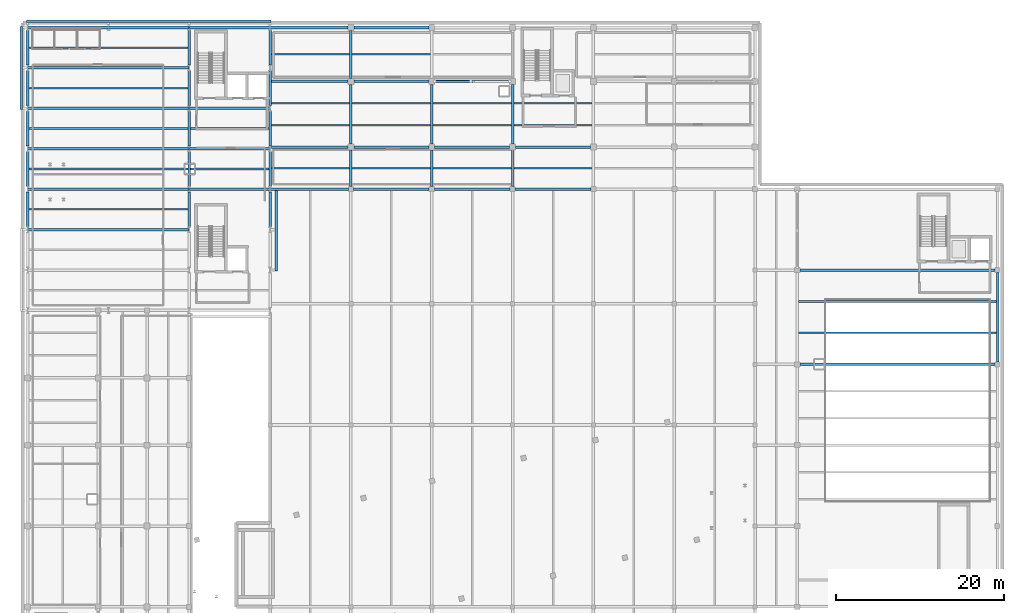
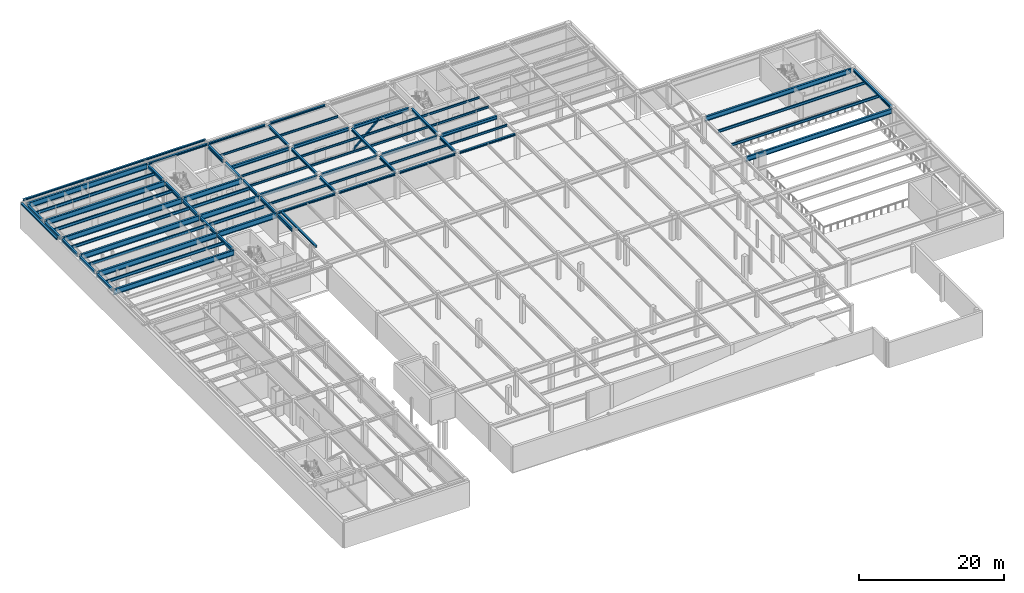
# One storey, part 13 of 32: 74 beams, 1 member.
"""IFC4 building model written with IfcOpenShell, lengths in metres."""

from ifc_helpers import new_model, si_unit, direction, frame, origin, origin_2d, place, context, subcontext, project, spatial, hollow_rectangle, i_section, extrude, material, material_profile, profile_set, type_object, element, save


model = new_model("IFC4")

# Units and contexts
model_context = context("Model", 3, precision=1e-05, world=origin(), true_north=direction((0.0, 1.0)))
body_context = subcontext(model_context, "Body", "Model", "MODEL_VIEW")
ifc_project = project(units=[si_unit("LENGTHUNIT", "METRE"), si_unit("AREAUNIT", "SQUARE_METRE"), si_unit("VOLUMEUNIT", "CUBIC_METRE"), si_unit("PLANEANGLEUNIT", "RADIAN"), si_unit("MASSUNIT", "GRAM", prefix="KILO")], contexts=[model_context])

# Site, building, storey
site_placement = place(None, origin())
site = spatial("IfcSite", under=ifc_project, at=site_placement, CompositionType="ELEMENT")
building_placement = place(site_placement, origin())
building = spatial("IfcBuilding", under=site, at=building_placement, Name="Nordkorset Police Headquarters", CompositionType="ELEMENT")
storey_placement = place(building_placement, frame((0.0, 0.0, -4.550048828125)))
storey = spatial("IfcBuildingStorey", under=building, at=storey_placement, Name="B01", CompositionType="ELEMENT", Elevation=-4.550048828125)

# Beams
ifc_material_1 = material(Name="Steel S355J2", Category="steel")
ifc_material_profile_1 = material_profile(ifc_material_1, i_section(OverallWidth=0.169921875, OverallDepth=0.360107421875, WebThickness=0.008056640625, FlangeThickness=0.0126953125, FilletRadius=0.01806640625, at=origin_2d()), Name="IPE 360")
ifc_profile_set_1 = profile_set([ifc_material_profile_1], Name="Steel S355J2")
beam_type_1 = type_object("IfcBeamType", Name="Beam_IPE_360", PredefinedType="BEAM", material=ifc_profile_set_1)
for number, where, z_axis, x_axis, name in (
    (1, (28.949951171875, 100.10009765625, 4.10009765625), (1.0, 0.0, 0.0), (0.0, 1.0, 0.0), "Composite Floor Beam V2 B01 0-0-1"),
    (2, (28.949951171875, 105.199951171875, 4.10009765625), (1.0, 0.0, 0.0), (0.0, 1.0, 0.0), "Composite Floor Beam V2 B01 0-1-1"),
    (3, (28.949951171875, 107.800048828125, 4.10009765625), (1.0, 0.0, 0.0), (0.0, 1.0, 0.0), "Composite Floor Beam V2 B01 0-1-2"),
    (4, (28.949951171875, 113.60009765625, 4.10009765625), (1.0, 0.0, 0.0), (0.0, 1.0, 0.0), "Composite Floor Beam V2 B01 0-2-1"),
    (5, (38.550048828125, 100.10009765625, 4.10009765625), (1.0, 0.0, 0.0), (0.0, 1.0, 0.0), "Composite Floor Beam V2 B01 1-0-1"),
    (6, (38.550048828125, 105.199951171875, 4.10009765625), (1.0, 0.0, 0.0), (0.0, 1.0, 0.0), "Composite Floor Beam V2 B01 1-1-1"),
    (7, (38.550048828125, 107.800048828125, 4.10009765625), (1.0, 0.0, 0.0), (0.0, 1.0, 0.0), "Composite Floor Beam V2 B01 1-1-2"),
    (8, (38.550048828125, 113.60009765625, 4.10009765625), (1.0, 0.0, 0.0), (0.0, 1.0, 0.0), "Composite Floor Beam V2 B01 1-2-1"),
    (9, (48.14990234375, 100.10009765625, 4.10009765625), (1.0, 0.0, 0.0), (0.0, 1.0, 0.0), "Composite Floor Beam V2 B01 2-0-1"),
    (10, (48.14990234375, 105.199951171875, 4.10009765625), (1.0, 0.0, 0.0), (0.0, 1.0, 0.0), "Composite Floor Beam V2 B01 2-1-1"),
    (11, (48.14990234375, 107.800048828125, 4.10009765625), (1.0, 0.0, 0.0), (0.0, 1.0, 0.0), "Composite Floor Beam V2 B01 2-1-2"),
    (12, (57.75, 100.10009765625, 4.10009765625), (1.0, 0.0, 0.0), (0.0, 1.0, 0.0), "Composite Floor Beam V2 B01 3-0-1"),
    (13, (57.75, 105.199951171875, 4.10009765625), (1.0, 0.0, 0.0), (0.0, 1.0, 0.0), "Composite Floor Beam V2 B01 3-1-1"),
    (14, (57.75, 107.800048828125, 4.10009765625), (1.0, 0.0, 0.0), (0.0, 1.0, 0.0), "Composite Floor Beam V2 B01 3-1-2"),
):
    element("IfcBeam", number, at=place(storey_placement, frame(where, z_axis=z_axis, x_axis=x_axis)), inside=storey, type_object=beam_type_1, Name=name, PredefinedType="BEAM", context=body_context, shape_type="SweptSolid", body=[
        extrude(i_section(OverallWidth=0.169921875, OverallDepth=0.360107421875, WebThickness=0.008056640625, FlangeThickness=0.0126953125, FilletRadius=0.01806640625, at=origin_2d()), origin(), (0.0, 0.0, 1.0), 9.300048828125),
    ])
ifc_material_2 = material(Name="Steel S355J2", Category="steel")
ifc_material_profile_2 = material_profile(ifc_material_2, i_section(OverallWidth=0.18994140625, OverallDepth=0.449951171875, WebThickness=0.009521484375, FlangeThickness=0.0146484375, FilletRadius=0.02099609375, at=origin_2d()), Name="IPE 450")
ifc_profile_set_2 = profile_set([ifc_material_profile_2], Name="Steel S355J2")
beam_type_2 = type_object("IfcBeamType", Name="Beam_IPE_450", PredefinedType="BEAM", material=ifc_profile_set_2)
for number, where, z_axis, x_axis, name in (
    (15, (91.550048828125, 80.533447265625, 4.054931640625), (1.0, 0.0, 0.0), (0.0, 1.0, 0.0), "Composite Floor Beam V5 B01 1-3-1"),
    (16, (91.550048828125, 84.2666015625, 4.054931640625), (1.0, 0.0, 0.0), (0.0, 1.0, 0.0), "Composite Floor Beam V5 B01 1-3-2"),
):
    element("IfcBeam", number, at=place(storey_placement, frame(where, z_axis=z_axis, x_axis=x_axis)), inside=storey, type_object=beam_type_2, Name=name, PredefinedType="BEAM", context=body_context, shape_type="SweptSolid", body=[
        extrude(i_section(OverallWidth=0.18994140625, OverallDepth=0.449951171875, WebThickness=0.009521484375, FlangeThickness=0.0146484375, FilletRadius=0.02099609375, at=origin_2d()), origin(), (0.0, 0.0, 1.0), 23.5),
    ])
ifc_material_3 = material(Name="Steel S355J2", Category="steel")
ifc_material_profile_3 = material_profile(ifc_material_3, i_section(OverallWidth=0.199951171875, OverallDepth=0.5, WebThickness=0.01025390625, FlangeThickness=0.01611328125, FilletRadius=0.02099609375, at=origin_2d()), Name="IPE 500")
ifc_profile_set_3 = profile_set([ifc_material_profile_3], Name="Steel S355J2")
beam_type_3 = type_object("IfcBeamType", Name="Beam_IPE_500", PredefinedType="BEAM", material=ifc_profile_set_3)
for number, where, z_axis, x_axis, name in (
    (17, (0.14990234375, 95.199951171875, 4.030029296875), (1.0, 0.0, 0.0), (0.0, 1.0, 0.0), "Composite Floor Beam V1 B01 0-2-1"),
    (18, (0.14990234375, 100.0, 4.030029296875), (1.0, 0.0, 0.0), (0.0, 1.0, 0.0), "Composite Floor Beam V1 B01 0-3-1"),
    (19, (0.14990234375, 104.800048828125, 4.030029296875), (1.0, 0.0, 0.0), (0.0, 1.0, 0.0), "Composite Floor Beam V1 B01 0-4-1"),
    (20, (0.14990234375, 109.60009765625, 4.030029296875), (1.0, 0.0, 0.0), (0.0, 1.0, 0.0), "Composite Floor Beam V1 B01 0-5-1"),
    (21, (0.14990234375, 114.39990234375, 4.030029296875), (1.0, 0.0, 0.0), (0.0, 1.0, 0.0), "Composite Floor Beam V1 B01 0-6-1"),
):
    element("IfcBeam", number, at=place(storey_placement, frame(where, z_axis=z_axis, x_axis=x_axis)), inside=storey, type_object=beam_type_3, Name=name, PredefinedType="BEAM", context=body_context, shape_type="SweptSolid", body=[
        extrude(i_section(OverallWidth=0.199951171875, OverallDepth=0.5, WebThickness=0.01025390625, FlangeThickness=0.01611328125, FilletRadius=0.02099609375, at=origin_2d()), origin(), (0.0, 0.0, 1.0), 18.900146484375),
    ])
for number, where, z_axis, x_axis, name in (
    (22, (19.35009765625, 100.0, 4.030029296875), (1.0, 0.0, 0.0), (0.0, 1.0, 0.0), "Composite Floor Beam V1 B01 1-3-1"),
    (23, (19.35009765625, 104.800048828125, 4.030029296875), (1.0, 0.0, 0.0), (0.0, 1.0, 0.0), "Composite Floor Beam V1 B01 1-4-1"),
):
    element("IfcBeam", number, at=place(storey_placement, frame(where, z_axis=z_axis, x_axis=x_axis)), inside=storey, type_object=beam_type_3, Name=name, PredefinedType="BEAM", context=body_context, shape_type="SweptSolid", body=[
        extrude(i_section(OverallWidth=0.199951171875, OverallDepth=0.5, WebThickness=0.01025390625, FlangeThickness=0.01611328125, FilletRadius=0.02099609375, at=origin_2d()), origin(), (0.0, 0.0, 1.0), 9.2998046875),
    ])

# Member
ifc_material_4 = material(Name="Steel S355J2", Category="steel")
ifc_material_profile_4 = material_profile(ifc_material_4, hollow_rectangle(XDim=0.25, YDim=0.25, WallThickness=0.012451171875, InnerFilletRadius=0.012451171875, OuterFilletRadius=0.02490234375, at=origin_2d()), Name="SHS 250x250x12.5")
ifc_profile_set_4 = profile_set([ifc_material_profile_4], Name="Steel S355J2")
member_type = type_object("IfcMemberType", Name="Brace_SHS_250x250x12.5", PredefinedType="BRACE", material=ifc_profile_set_4)
member_placement = place(storey_placement, frame((48.35009765625, 110.39990234375, 0.199951171875), z_axis=(0.741816057478, 0.0, 0.670603412509), x_axis=(0.0, 1.0, 0.0)))
element("IfcMember", 24, at=member_placement, inside=storey, type_object=member_type, Name="Lateral Chevron Brace BF-V2-A B01 D1", PredefinedType="BRACE", context=body_context, shape_type="SweptSolid", body=[
    extrude(hollow_rectangle(XDim=0.25, YDim=0.25, WallThickness=0.012451171875, InnerFilletRadius=0.012451171875, OuterFilletRadius=0.02490234375, at=origin_2d()), origin(), (0.0, 0.0, 1.0), 5.756103515625),
])

# Beams
ifc_material_5 = material(Name="Steel S355J2", Category="steel")
ifc_material_profile_5 = material_profile(ifc_material_5, i_section(OverallWidth=0.300048828125, OverallDepth=0.43994140625, WebThickness=0.011474609375, FlangeThickness=0.02099609375, FilletRadius=0.027099609375, at=origin_2d()), Name="HEA 450")
ifc_profile_set_5 = profile_set([ifc_material_profile_5], Name="Steel S355J2")
beam_type_4 = type_object("IfcBeamType", Name="Girder_HEA_450", PredefinedType="USERDEFINED", material=ifc_profile_set_5)
beam_1_placement = place(storey_placement, frame((38.39990234375, 97.89990234375, 4.06005859375), z_axis=(0.0, 1.0, 0.0), x_axis=(-1.0, 0.0, 0.0)))
element("IfcBeam", 25, at=beam_1_placement, inside=storey, type_object=beam_type_4, Name="Girder V2 B01 GY-1-0", ObjectType="GIRDER", PredefinedType="USERDEFINED", context=body_context, shape_type="SweptSolid", body=[
    extrude(i_section(OverallWidth=0.300048828125, OverallDepth=0.43994140625, WebThickness=0.011474609375, FlangeThickness=0.02099609375, FilletRadius=0.027099609375, at=origin_2d()), origin(), (0.0, 0.0, 1.0), 4.35009765625),
])
beam_2_placement = place(storey_placement, frame((38.39990234375, 102.949951171875, 4.06005859375), z_axis=(0.0, 1.0, 0.0), x_axis=(-1.0, 0.0, 0.0)))
element("IfcBeam", 26, at=beam_2_placement, inside=storey, type_object=beam_type_4, Name="Girder V2 B01 GY-1-1", ObjectType="GIRDER", PredefinedType="USERDEFINED", context=body_context, shape_type="SweptSolid", body=[
    extrude(i_section(OverallWidth=0.300048828125, OverallDepth=0.43994140625, WebThickness=0.011474609375, FlangeThickness=0.02099609375, FilletRadius=0.027099609375, at=origin_2d()), origin(), (0.0, 0.0, 1.0), 7.10009765625),
])
beam_3_placement = place(storey_placement, frame((38.39990234375, 110.75, 4.06005859375), z_axis=(0.0, 1.0, 0.0), x_axis=(-1.0, 0.0, 0.0)))
element("IfcBeam", 27, at=beam_3_placement, inside=storey, type_object=beam_type_4, Name="Girder V2 B01 GY-1-2", ObjectType="GIRDER", PredefinedType="USERDEFINED", context=body_context, shape_type="SweptSolid", body=[
    extrude(i_section(OverallWidth=0.300048828125, OverallDepth=0.43994140625, WebThickness=0.011474609375, FlangeThickness=0.02099609375, FilletRadius=0.027099609375, at=origin_2d()), origin(), (0.0, 0.0, 1.0), 5.699951171875),
])
beam_4_placement = place(storey_placement, frame((48.0, 97.89990234375, 4.06005859375), z_axis=(0.0, 1.0, 0.0), x_axis=(-1.0, 0.0, 0.0)))
element("IfcBeam", 28, at=beam_4_placement, inside=storey, type_object=beam_type_4, Name="Girder V2 B01 GY-2-0", ObjectType="GIRDER", PredefinedType="USERDEFINED", context=body_context, shape_type="SweptSolid", body=[
    extrude(i_section(OverallWidth=0.300048828125, OverallDepth=0.43994140625, WebThickness=0.011474609375, FlangeThickness=0.02099609375, FilletRadius=0.027099609375, at=origin_2d()), origin(), (0.0, 0.0, 1.0), 4.35009765625),
])
beam_5_placement = place(storey_placement, frame((48.0, 102.949951171875, 4.06005859375), z_axis=(0.0, 1.0, 0.0), x_axis=(-1.0, 0.0, 0.0)))
element("IfcBeam", 29, at=beam_5_placement, inside=storey, type_object=beam_type_4, Name="Girder V2 B01 GY-2-1", ObjectType="GIRDER", PredefinedType="USERDEFINED", context=body_context, shape_type="SweptSolid", body=[
    extrude(i_section(OverallWidth=0.300048828125, OverallDepth=0.43994140625, WebThickness=0.011474609375, FlangeThickness=0.02099609375, FilletRadius=0.027099609375, at=origin_2d()), origin(), (0.0, 0.0, 1.0), 7.10009765625),
])
beam_6_placement = place(storey_placement, frame((57.60009765625, 97.89990234375, 4.06005859375), z_axis=(0.0, 1.0, 0.0), x_axis=(-1.0, 0.0, 0.0)))
element("IfcBeam", 30, at=beam_6_placement, inside=storey, type_object=beam_type_4, Name="Girder V2 B01 GY-3-0", ObjectType="GIRDER", PredefinedType="USERDEFINED", context=body_context, shape_type="SweptSolid", body=[
    extrude(i_section(OverallWidth=0.300048828125, OverallDepth=0.43994140625, WebThickness=0.011474609375, FlangeThickness=0.02099609375, FilletRadius=0.027099609375, at=origin_2d()), origin(), (0.0, 0.0, 1.0), 4.35009765625),
])
beam_7_placement = place(storey_placement, frame((57.60009765625, 102.949951171875, 4.06005859375), z_axis=(0.0, 1.0, 0.0), x_axis=(-1.0, 0.0, 0.0)))
element("IfcBeam", 31, at=beam_7_placement, inside=storey, type_object=beam_type_4, Name="Girder V2 B01 GY-3-1", ObjectType="GIRDER", PredefinedType="USERDEFINED", context=body_context, shape_type="SweptSolid", body=[
    extrude(i_section(OverallWidth=0.300048828125, OverallDepth=0.43994140625, WebThickness=0.011474609375, FlangeThickness=0.02099609375, FilletRadius=0.027099609375, at=origin_2d()), origin(), (0.0, 0.0, 1.0), 7.10009765625),
])
beam_8_placement = place(storey_placement, frame((115.199951171875, 77.10009765625, 4.06005859375), z_axis=(0.0, 1.0, 0.0), x_axis=(-1.0, 0.0, 0.0)))
element("IfcBeam", 32, at=beam_8_placement, inside=storey, type_object=beam_type_4, Name="Girder V5 B01 GY-2-3", ObjectType="GIRDER", PredefinedType="USERDEFINED", context=body_context, shape_type="SweptSolid", body=[
    extrude(i_section(OverallWidth=0.300048828125, OverallDepth=0.43994140625, WebThickness=0.011474609375, FlangeThickness=0.02099609375, FilletRadius=0.027099609375, at=origin_2d()), origin(), (0.0, 0.0, 1.0), 10.599853515625),
])
ifc_material_6 = material(Name="Steel S355J2", Category="steel")
ifc_material_profile_6 = material_profile(ifc_material_6, i_section(OverallWidth=0.300048828125, OverallDepth=0.5400390625, WebThickness=0.012451171875, FlangeThickness=0.02392578125, FilletRadius=0.027099609375, at=origin_2d()), Name="HEA 550")
ifc_profile_set_6 = profile_set([ifc_material_profile_6], Name="Steel S355J2")
beam_type_5 = type_object("IfcBeamType", Name="Girder_HEA_550", PredefinedType="USERDEFINED", material=ifc_profile_set_6)
for number, where, z_axis, x_axis, name in (
    (33, (0.0, 93.125, 4.010009765625), (0.0, 1.0, 0.0), (-1.0, 0.0, 0.0), "Girder V1 B01 GY-0-2"),
    (34, (0.0, 97.925048828125, 4.010009765625), (0.0, 1.0, 0.0), (-1.0, 0.0, 0.0), "Girder V1 B01 GY-0-3"),
    (35, (0.0, 102.72509765625, 4.010009765625), (0.0, 1.0, 0.0), (-1.0, 0.0, 0.0), "Girder V1 B01 GY-0-4"),
):
    element("IfcBeam", number, at=place(storey_placement, frame(where, z_axis=z_axis, x_axis=x_axis)), inside=storey, type_object=beam_type_5, Name=name, ObjectType="GIRDER", PredefinedType="USERDEFINED", context=body_context, shape_type="SweptSolid", body=[
        extrude(i_section(OverallWidth=0.300048828125, OverallDepth=0.5400390625, WebThickness=0.012451171875, FlangeThickness=0.02392578125, FilletRadius=0.027099609375, at=origin_2d()), origin(), (0.0, 0.0, 1.0), 4.14990234375),
    ])
for number, where, z_axis, x_axis, name in (
    (36, (0.0, 107.52490234375, 4.010009765625), (0.0, 1.0, 0.0), (-1.0, 0.0, 0.0), "Girder V1 B01 GY-0-5"),
    (37, (0.0, 112.324951171875, 4.010009765625), (0.0, 1.0, 0.0), (-1.0, 0.0, 0.0), "Girder V1 B01 GY-0-6"),
):
    element("IfcBeam", number, at=place(storey_placement, frame(where, z_axis=z_axis, x_axis=x_axis)), inside=storey, type_object=beam_type_5, Name=name, ObjectType="GIRDER", PredefinedType="USERDEFINED", context=body_context, shape_type="SweptSolid", body=[
        extrude(i_section(OverallWidth=0.300048828125, OverallDepth=0.5400390625, WebThickness=0.012451171875, FlangeThickness=0.02392578125, FilletRadius=0.027099609375, at=origin_2d()), origin(), (0.0, 0.0, 1.0), 4.150146484375),
    ])
for number, where, z_axis, x_axis, name in (
    (38, (19.199951171875, 93.125, 4.010009765625), (0.0, 1.0, 0.0), (-1.0, 0.0, 0.0), "Girder V1 B01 GY-1-2"),
    (39, (19.199951171875, 97.925048828125, 4.010009765625), (0.0, 1.0, 0.0), (-1.0, 0.0, 0.0), "Girder V1 B01 GY-1-3"),
    (40, (19.199951171875, 102.72509765625, 4.010009765625), (0.0, 1.0, 0.0), (-1.0, 0.0, 0.0), "Girder V1 B01 GY-1-4"),
):
    element("IfcBeam", number, at=place(storey_placement, frame(where, z_axis=z_axis, x_axis=x_axis)), inside=storey, type_object=beam_type_5, Name=name, ObjectType="GIRDER", PredefinedType="USERDEFINED", context=body_context, shape_type="SweptSolid", body=[
        extrude(i_section(OverallWidth=0.300048828125, OverallDepth=0.5400390625, WebThickness=0.012451171875, FlangeThickness=0.02392578125, FilletRadius=0.027099609375, at=origin_2d()), origin(), (0.0, 0.0, 1.0), 4.14990234375),
    ])
for number, where, z_axis, x_axis, name in (
    (41, (19.199951171875, 107.52490234375, 4.010009765625), (0.0, 1.0, 0.0), (-1.0, 0.0, 0.0), "Girder V1 B01 GY-1-5"),
    (42, (19.199951171875, 112.324951171875, 4.010009765625), (0.0, 1.0, 0.0), (-1.0, 0.0, 0.0), "Girder V1 B01 GY-1-6"),
):
    element("IfcBeam", number, at=place(storey_placement, frame(where, z_axis=z_axis, x_axis=x_axis)), inside=storey, type_object=beam_type_5, Name=name, ObjectType="GIRDER", PredefinedType="USERDEFINED", context=body_context, shape_type="SweptSolid", body=[
        extrude(i_section(OverallWidth=0.300048828125, OverallDepth=0.5400390625, WebThickness=0.012451171875, FlangeThickness=0.02392578125, FilletRadius=0.027099609375, at=origin_2d()), origin(), (0.0, 0.0, 1.0), 4.150146484375),
    ])
for number, where, z_axis, x_axis, name in (
    (43, (28.800048828125, 93.125, 4.010009765625), (0.0, 1.0, 0.0), (-1.0, 0.0, 0.0), "Girder V1 B01 GY-2-2"),
    (44, (28.800048828125, 97.925048828125, 4.010009765625), (0.0, 1.0, 0.0), (-1.0, 0.0, 0.0), "Girder V1 B01 GY-2-3"),
    (45, (28.800048828125, 102.72509765625, 4.010009765625), (0.0, 1.0, 0.0), (-1.0, 0.0, 0.0), "Girder V1 B01 GY-2-4"),
):
    element("IfcBeam", number, at=place(storey_placement, frame(where, z_axis=z_axis, x_axis=x_axis)), inside=storey, type_object=beam_type_5, Name=name, ObjectType="GIRDER", PredefinedType="USERDEFINED", context=body_context, shape_type="SweptSolid", body=[
        extrude(i_section(OverallWidth=0.300048828125, OverallDepth=0.5400390625, WebThickness=0.012451171875, FlangeThickness=0.02392578125, FilletRadius=0.027099609375, at=origin_2d()), origin(), (0.0, 0.0, 1.0), 4.14990234375),
    ])
for number, where, z_axis, x_axis, name in (
    (46, (28.800048828125, 107.52490234375, 4.010009765625), (0.0, 1.0, 0.0), (-1.0, 0.0, 0.0), "Girder V1 B01 GY-2-5"),
    (47, (28.800048828125, 112.324951171875, 4.010009765625), (0.0, 1.0, 0.0), (-1.0, 0.0, 0.0), "Girder V1 B01 GY-2-6"),
):
    element("IfcBeam", number, at=place(storey_placement, frame(where, z_axis=z_axis, x_axis=x_axis)), inside=storey, type_object=beam_type_5, Name=name, ObjectType="GIRDER", PredefinedType="USERDEFINED", context=body_context, shape_type="SweptSolid", body=[
        extrude(i_section(OverallWidth=0.300048828125, OverallDepth=0.5400390625, WebThickness=0.012451171875, FlangeThickness=0.02392578125, FilletRadius=0.027099609375, at=origin_2d()), origin(), (0.0, 0.0, 1.0), 4.150146484375),
    ])
beam_9_placement = place(storey_placement, frame((28.949951171875, 102.60009765625, 4.010009765625), z_axis=(1.0, 0.0, 0.0), x_axis=(0.0, 1.0, 0.0)))
element("IfcBeam", 48, at=beam_9_placement, inside=storey, type_object=beam_type_5, Name="Girder V2 B01 GX-1-0", ObjectType="GIRDER", PredefinedType="USERDEFINED", context=body_context, shape_type="SweptSolid", body=[
    extrude(i_section(OverallWidth=0.300048828125, OverallDepth=0.5400390625, WebThickness=0.012451171875, FlangeThickness=0.02392578125, FilletRadius=0.027099609375, at=origin_2d()), origin(), (0.0, 0.0, 1.0), 9.10009765625),
])
for number, where, z_axis, x_axis, name in (
    (49, (38.75, 102.60009765625, 4.010009765625), (1.0, 0.0, 0.0), (0.0, 1.0, 0.0), "Girder V2 B01 GX-1-1"),
    (50, (48.35009765625, 102.60009765625, 4.010009765625), (1.0, 0.0, 0.0), (0.0, 1.0, 0.0), "Girder V2 B01 GX-1-2"),
):
    element("IfcBeam", number, at=place(storey_placement, frame(where, z_axis=z_axis, x_axis=x_axis)), inside=storey, type_object=beam_type_5, Name=name, ObjectType="GIRDER", PredefinedType="USERDEFINED", context=body_context, shape_type="SweptSolid", body=[
        extrude(i_section(OverallWidth=0.300048828125, OverallDepth=0.5400390625, WebThickness=0.012451171875, FlangeThickness=0.02392578125, FilletRadius=0.027099609375, at=origin_2d()), origin(), (0.0, 0.0, 1.0), 8.89990234375),
    ])
beam_10_placement = place(storey_placement, frame((57.949951171875, 102.60009765625, 4.010009765625), z_axis=(1.0, 0.0, 0.0), x_axis=(0.0, 1.0, 0.0)))
element("IfcBeam", 51, at=beam_10_placement, inside=storey, type_object=beam_type_5, Name="Girder V2 B01 GX-1-3", ObjectType="GIRDER", PredefinedType="USERDEFINED", context=body_context, shape_type="SweptSolid", body=[
    extrude(i_section(OverallWidth=0.300048828125, OverallDepth=0.5400390625, WebThickness=0.012451171875, FlangeThickness=0.02392578125, FilletRadius=0.027099609375, at=origin_2d()), origin(), (0.0, 0.0, 1.0), 8.900146484375),
])
beam_11_placement = place(storey_placement, frame((28.949951171875, 110.39990234375, 4.010009765625), z_axis=(1.0, 0.0, 0.0), x_axis=(0.0, 1.0, 0.0)))
element("IfcBeam", 52, at=beam_11_placement, inside=storey, type_object=beam_type_5, Name="Girder V2 B01 GX-2-0", ObjectType="GIRDER", PredefinedType="USERDEFINED", context=body_context, shape_type="SweptSolid", body=[
    extrude(i_section(OverallWidth=0.300048828125, OverallDepth=0.5400390625, WebThickness=0.012451171875, FlangeThickness=0.02392578125, FilletRadius=0.027099609375, at=origin_2d()), origin(), (0.0, 0.0, 1.0), 9.10009765625),
])
for number, where, z_axis, x_axis, name in (
    (53, (38.75, 110.39990234375, 4.010009765625), (1.0, 0.0, 0.0), (0.0, 1.0, 0.0), "Girder V2 B01 GX-2-1"),
    (54, (48.35009765625, 110.39990234375, 4.010009765625), (1.0, 0.0, 0.0), (0.0, 1.0, 0.0), "Girder V2 B01 GX-2-2"),
):
    element("IfcBeam", number, at=place(storey_placement, frame(where, z_axis=z_axis, x_axis=x_axis)), inside=storey, type_object=beam_type_5, Name=name, ObjectType="GIRDER", PredefinedType="USERDEFINED", context=body_context, shape_type="SweptSolid", body=[
        extrude(i_section(OverallWidth=0.300048828125, OverallDepth=0.5400390625, WebThickness=0.012451171875, FlangeThickness=0.02392578125, FilletRadius=0.027099609375, at=origin_2d()), origin(), (0.0, 0.0, 1.0), 8.89990234375),
    ])
ifc_material_7 = material(Name="Steel S355J2", Category="steel")
ifc_material_profile_7 = material_profile(ifc_material_7, i_section(OverallWidth=0.300048828125, OverallDepth=0.800048828125, WebThickness=0.017578125, FlangeThickness=0.032958984375, FilletRadius=0.030029296875, at=origin_2d()), Name="HEB 800")
ifc_profile_set_7 = profile_set([ifc_material_profile_7], Name="Steel S355J2")
beam_type_6 = type_object("IfcBeamType", Name="Girder_HEB_800", PredefinedType="USERDEFINED", material=ifc_profile_set_7)
for number, where, z_axis, x_axis, name in (
    (55, (91.699951171875, 76.800048828125, 3.880126953125), (1.0, 0.0, 0.0), (0.0, 1.0, 0.0), "Girder V5 B01 GX-3-1"),
    (56, (91.699951171875, 88.0, 3.880126953125), (1.0, 0.0, 0.0), (0.0, 1.0, 0.0), "Girder V5 B01 GX-4-1"),
):
    element("IfcBeam", number, at=place(storey_placement, frame(where, z_axis=z_axis, x_axis=x_axis)), inside=storey, type_object=beam_type_6, Name=name, ObjectType="GIRDER", PredefinedType="USERDEFINED", context=body_context, shape_type="SweptSolid", body=[
        extrude(i_section(OverallWidth=0.300048828125, OverallDepth=0.800048828125, WebThickness=0.017578125, FlangeThickness=0.032958984375, FilletRadius=0.030029296875, at=origin_2d()), origin(), (0.0, 0.0, 1.0), 23.199951171875),
    ])
ifc_material_8 = material(Name="Steel S355J2", Category="steel")
ifc_material_profile_8 = material_profile(ifc_material_8, i_section(OverallWidth=0.300048828125, OverallDepth=0.89990234375, WebThickness=0.0185546875, FlangeThickness=0.034912109375, FilletRadius=0.030029296875, at=origin_2d()), Name="HEB 900")
ifc_profile_set_8 = profile_set([ifc_material_profile_8], Name="Steel S355J2")
beam_type_7 = type_object("IfcBeamType", Name="Girder_HEB_900", PredefinedType="USERDEFINED", material=ifc_profile_set_8)
for number, where, z_axis, x_axis, name in (
    (57, (0.008056640625, 92.800048828125, 3.830078125), (1.0, 0.0, 0.0), (0.0, 1.0, 0.0), "Girder V1 B01 GX-2-0"),
    (58, (0.008056640625, 97.60009765625, 3.830078125), (1.0, 0.0, 0.0), (0.0, 1.0, 0.0), "Girder V1 B01 GX-3-0"),
):
    element("IfcBeam", number, at=place(storey_placement, frame(where, z_axis=z_axis, x_axis=x_axis)), inside=storey, type_object=beam_type_7, Name=name, ObjectType="GIRDER", PredefinedType="USERDEFINED", context=body_context, shape_type="SweptSolid", body=[
        extrude(i_section(OverallWidth=0.300048828125, OverallDepth=0.89990234375, WebThickness=0.0185546875, FlangeThickness=0.034912109375, FilletRadius=0.030029296875, at=origin_2d()), origin(), (0.0, 0.0, 1.0), 19.183837890625),
    ])
beam_12_placement = place(storey_placement, frame((19.2080078125, 97.60009765625, 3.830078125), z_axis=(1.0, 0.0, 0.0), x_axis=(0.0, 1.0, 0.0)))
element("IfcBeam", 59, at=beam_12_placement, inside=storey, type_object=beam_type_7, Name="Girder V1 B01 GX-3-1", ObjectType="GIRDER", PredefinedType="USERDEFINED", context=body_context, shape_type="SweptSolid", body=[
    extrude(i_section(OverallWidth=0.300048828125, OverallDepth=0.89990234375, WebThickness=0.0185546875, FlangeThickness=0.034912109375, FilletRadius=0.030029296875, at=origin_2d()), origin(), (0.0, 0.0, 1.0), 9.583984375),
])
beam_13_placement = place(storey_placement, frame((0.008056640625, 102.39990234375, 3.830078125), z_axis=(1.0, 0.0, 0.0), x_axis=(0.0, 1.0, 0.0)))
element("IfcBeam", 60, at=beam_13_placement, inside=storey, type_object=beam_type_7, Name="Girder V1 B01 GX-4-0", ObjectType="GIRDER", PredefinedType="USERDEFINED", context=body_context, shape_type="SweptSolid", body=[
    extrude(i_section(OverallWidth=0.300048828125, OverallDepth=0.89990234375, WebThickness=0.0185546875, FlangeThickness=0.034912109375, FilletRadius=0.030029296875, at=origin_2d()), origin(), (0.0, 0.0, 1.0), 19.183837890625),
])
beam_14_placement = place(storey_placement, frame((19.2080078125, 102.39990234375, 3.830078125), z_axis=(1.0, 0.0, 0.0), x_axis=(0.0, 1.0, 0.0)))
element("IfcBeam", 61, at=beam_14_placement, inside=storey, type_object=beam_type_7, Name="Girder V1 B01 GX-4-1", ObjectType="GIRDER", PredefinedType="USERDEFINED", context=body_context, shape_type="SweptSolid", body=[
    extrude(i_section(OverallWidth=0.300048828125, OverallDepth=0.89990234375, WebThickness=0.0185546875, FlangeThickness=0.034912109375, FilletRadius=0.030029296875, at=origin_2d()), origin(), (0.0, 0.0, 1.0), 9.583984375),
])
beam_15_placement = place(storey_placement, frame((0.008056640625, 107.199951171875, 3.830078125), z_axis=(1.0, 0.0, 0.0), x_axis=(0.0, 1.0, 0.0)))
element("IfcBeam", 62, at=beam_15_placement, inside=storey, type_object=beam_type_7, Name="Girder V1 B01 GX-5-0", ObjectType="GIRDER", PredefinedType="USERDEFINED", context=body_context, shape_type="SweptSolid", body=[
    extrude(i_section(OverallWidth=0.300048828125, OverallDepth=0.89990234375, WebThickness=0.0185546875, FlangeThickness=0.034912109375, FilletRadius=0.030029296875, at=origin_2d()), origin(), (0.0, 0.0, 1.0), 19.183837890625),
])
beam_16_placement = place(storey_placement, frame((19.2080078125, 107.199951171875, 3.830078125), z_axis=(1.0, 0.0, 0.0), x_axis=(0.0, 1.0, 0.0)))
element("IfcBeam", 63, at=beam_16_placement, inside=storey, type_object=beam_type_7, Name="Girder V1 B01 GX-5-1", ObjectType="GIRDER", PredefinedType="USERDEFINED", context=body_context, shape_type="SweptSolid", body=[
    extrude(i_section(OverallWidth=0.300048828125, OverallDepth=0.89990234375, WebThickness=0.0185546875, FlangeThickness=0.034912109375, FilletRadius=0.030029296875, at=origin_2d()), origin(), (0.0, 0.0, 1.0), 9.583984375),
])
for number, where, z_axis, x_axis, name in (
    (64, (0.008056640625, 112.0, 3.830078125), (1.0, 0.0, 0.0), (0.0, 1.0, 0.0), "Girder V1 B01 GX-6-0"),
    (65, (0.008056640625, 116.800048828125, 3.830078125), (1.0, 0.0, 0.0), (0.0, 1.0, 0.0), "Girder V1 B01 GX-7-0"),
):
    element("IfcBeam", number, at=place(storey_placement, frame(where, z_axis=z_axis, x_axis=x_axis)), inside=storey, type_object=beam_type_7, Name=name, ObjectType="GIRDER", PredefinedType="USERDEFINED", context=body_context, shape_type="SweptSolid", body=[
        extrude(i_section(OverallWidth=0.300048828125, OverallDepth=0.89990234375, WebThickness=0.0185546875, FlangeThickness=0.034912109375, FilletRadius=0.030029296875, at=origin_2d()), origin(), (0.0, 0.0, 1.0), 19.183837890625),
    ])
ifc_material_9 = material(Name="Steel S355J2", Category="steel")
ifc_material_profile_9 = material_profile(ifc_material_9, i_section(OverallWidth=0.280029296875, OverallDepth=0.27001953125, WebThickness=0.008056640625, FlangeThickness=0.012939453125, FilletRadius=0.02392578125, at=origin_2d()), Name="HEA 280")
ifc_profile_set_9 = profile_set([ifc_material_profile_9], Name="Steel S355J2")
beam_type_8 = type_object("IfcBeamType", Name="Spandrel_HEA_280", PredefinedType="SPANDREL", material=ifc_profile_set_9)
beam_17_placement = place(storey_placement, frame((-0.75, 107.06005859375, 4.41015625), z_axis=(0.0, 1.0, 0.0), x_axis=(-1.0, 0.0, 0.0)))
element("IfcBeam", 66, at=beam_17_placement, inside=storey, type_object=beam_type_8, Name="Plinth Fin Support Ledger West 2", PredefinedType="SPANDREL", context=body_context, shape_type="SweptSolid", body=[
    extrude(i_section(OverallWidth=0.280029296875, OverallDepth=0.27001953125, WebThickness=0.008056640625, FlangeThickness=0.012939453125, FilletRadius=0.02392578125, at=origin_2d()), origin(), (0.0, 0.0, 1.0), 9.8798828125),
])
beam_18_placement = place(storey_placement, frame((29.550048828125, 87.860107421875, 4.135009765625), z_axis=(0.0, 1.0, 0.0), x_axis=(-1.0, 0.0, 0.0)))
element("IfcBeam", 67, at=beam_18_placement, inside=storey, type_object=beam_type_8, Name="Plinth Fin Support Ledger East 1", PredefinedType="SPANDREL", context=body_context, shape_type="SweptSolid", body=[
    extrude(i_section(OverallWidth=0.280029296875, OverallDepth=0.27001953125, WebThickness=0.008056640625, FlangeThickness=0.012939453125, FilletRadius=0.02392578125, at=origin_2d()), origin(), (0.0, 0.0, 1.0), 9.58984375),
])
beam_19_placement = place(storey_placement, frame((-0.139892578125, 117.550048828125, 4.41015625), z_axis=(1.0, 0.0, 0.0), x_axis=(0.0, 1.0, 0.0)))
element("IfcBeam", 68, at=beam_19_placement, inside=storey, type_object=beam_type_8, Name="Plinth Fin Support Ledger North 1", PredefinedType="SPANDREL", context=body_context, shape_type="SweptSolid", body=[
    extrude(i_section(OverallWidth=0.280029296875, OverallDepth=0.27001953125, WebThickness=0.008056640625, FlangeThickness=0.012939453125, FilletRadius=0.02392578125, at=origin_2d()), origin(), (0.0, 0.0, 1.0), 29.079833984375),
])
ifc_material_10 = material(Name="Steel S355J2", Category="steel")
ifc_material_profile_10 = material_profile(ifc_material_10, i_section(OverallWidth=0.300048828125, OverallDepth=0.31005859375, WebThickness=0.009033203125, FlangeThickness=0.015380859375, FilletRadius=0.027099609375, at=origin_2d()), Name="HEA 320")
ifc_profile_set_10 = profile_set([ifc_material_profile_10], Name="Steel S355J2")
beam_type_9 = type_object("IfcBeamType", Name="Spandrel_HEA_320", PredefinedType="SPANDREL", material=ifc_profile_set_10)
beam_20_placement = place(storey_placement, frame((19.2080078125, 116.800048828125, 4.125), z_axis=(1.0, 0.0, 0.0), x_axis=(0.0, 1.0, 0.0)))
element("IfcBeam", 69, at=beam_20_placement, inside=storey, type_object=beam_type_9, Name="Girder V1 B01 GX-7-1", PredefinedType="SPANDREL", context=body_context, shape_type="SweptSolid", body=[
    extrude(i_section(OverallWidth=0.300048828125, OverallDepth=0.31005859375, WebThickness=0.009033203125, FlangeThickness=0.015380859375, FilletRadius=0.027099609375, at=origin_2d()), origin(), (0.0, 0.0, 1.0), 9.583984375),
])
beam_21_placement = place(storey_placement, frame((28.80810546875, 97.60009765625, 4.125), z_axis=(1.0, 0.0, 0.0), x_axis=(0.0, 1.0, 0.0)))
element("IfcBeam", 70, at=beam_21_placement, inside=storey, type_object=beam_type_9, Name="Girder V2 B01 GX-0-0", PredefinedType="SPANDREL", context=body_context, shape_type="SweptSolid", body=[
    extrude(i_section(OverallWidth=0.300048828125, OverallDepth=0.31005859375, WebThickness=0.009033203125, FlangeThickness=0.015380859375, FilletRadius=0.027099609375, at=origin_2d()), origin(), (0.0, 0.0, 1.0), 9.2919921875),
])
for number, where, z_axis, x_axis, name in (
    (71, (38.699951171875, 97.60009765625, 4.125), (1.0, 0.0, 0.0), (0.0, 1.0, 0.0), "Girder V2 B01 GX-0-1"),
    (72, (48.300048828125, 97.60009765625, 4.125), (1.0, 0.0, 0.0), (0.0, 1.0, 0.0), "Girder V2 B01 GX-0-2"),
    (73, (57.89990234375, 97.60009765625, 4.125), (1.0, 0.0, 0.0), (0.0, 1.0, 0.0), "Girder V2 B01 GX-0-3"),
):
    element("IfcBeam", number, at=place(storey_placement, frame(where, z_axis=z_axis, x_axis=x_axis)), inside=storey, type_object=beam_type_9, Name=name, PredefinedType="SPANDREL", context=body_context, shape_type="SweptSolid", body=[
        extrude(i_section(OverallWidth=0.300048828125, OverallDepth=0.31005859375, WebThickness=0.009033203125, FlangeThickness=0.015380859375, FilletRadius=0.027099609375, at=origin_2d()), origin(), (0.0, 0.0, 1.0), 9.0),
    ])
beam_22_placement = place(storey_placement, frame((28.80810546875, 116.800048828125, 4.125), z_axis=(1.0, 0.0, 0.0), x_axis=(0.0, 1.0, 0.0)))
element("IfcBeam", 74, at=beam_22_placement, inside=storey, type_object=beam_type_9, Name="Girder V2 B01 GX-3-0", PredefinedType="SPANDREL", context=body_context, shape_type="SweptSolid", body=[
    extrude(i_section(OverallWidth=0.300048828125, OverallDepth=0.31005859375, WebThickness=0.009033203125, FlangeThickness=0.015380859375, FilletRadius=0.027099609375, at=origin_2d()), origin(), (0.0, 0.0, 1.0), 9.241943359375),
])
beam_23_placement = place(storey_placement, frame((38.75, 116.800048828125, 4.125), z_axis=(1.0, 0.0, 0.0), x_axis=(0.0, 1.0, 0.0)))
element("IfcBeam", 75, at=beam_23_placement, inside=storey, type_object=beam_type_9, Name="Girder V2 B01 GX-3-1", PredefinedType="SPANDREL", context=body_context, shape_type="SweptSolid", body=[
    extrude(i_section(OverallWidth=0.300048828125, OverallDepth=0.31005859375, WebThickness=0.009033203125, FlangeThickness=0.015380859375, FilletRadius=0.027099609375, at=origin_2d()), origin(), (0.0, 0.0, 1.0), 8.89990234375),
])

save(model, "model.ifc")
